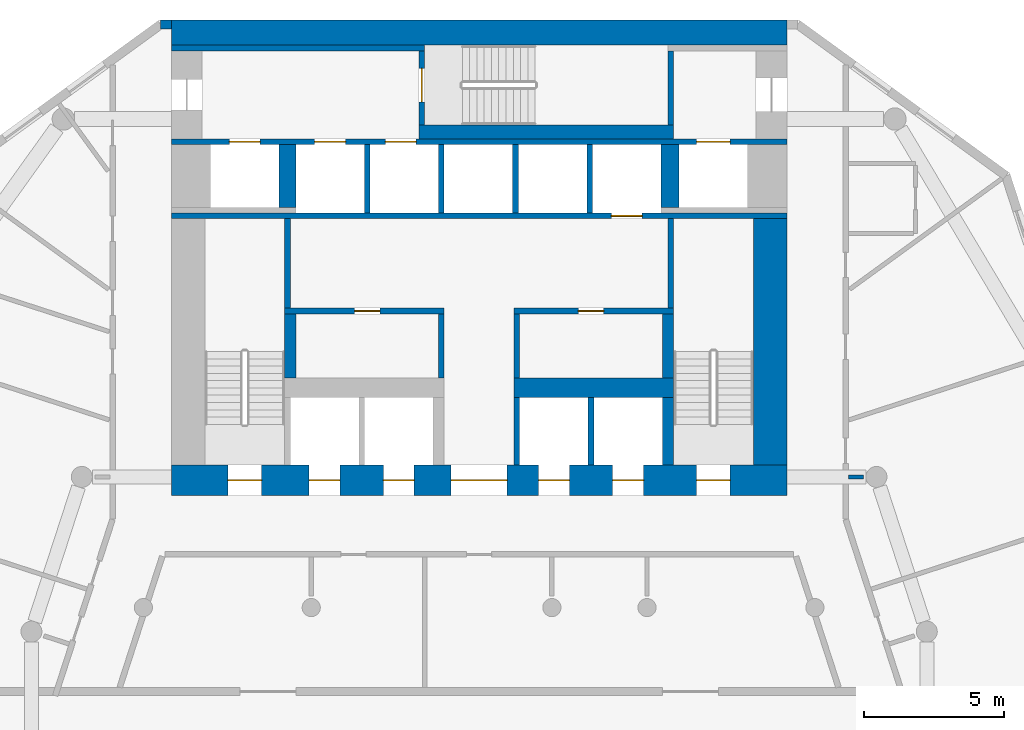
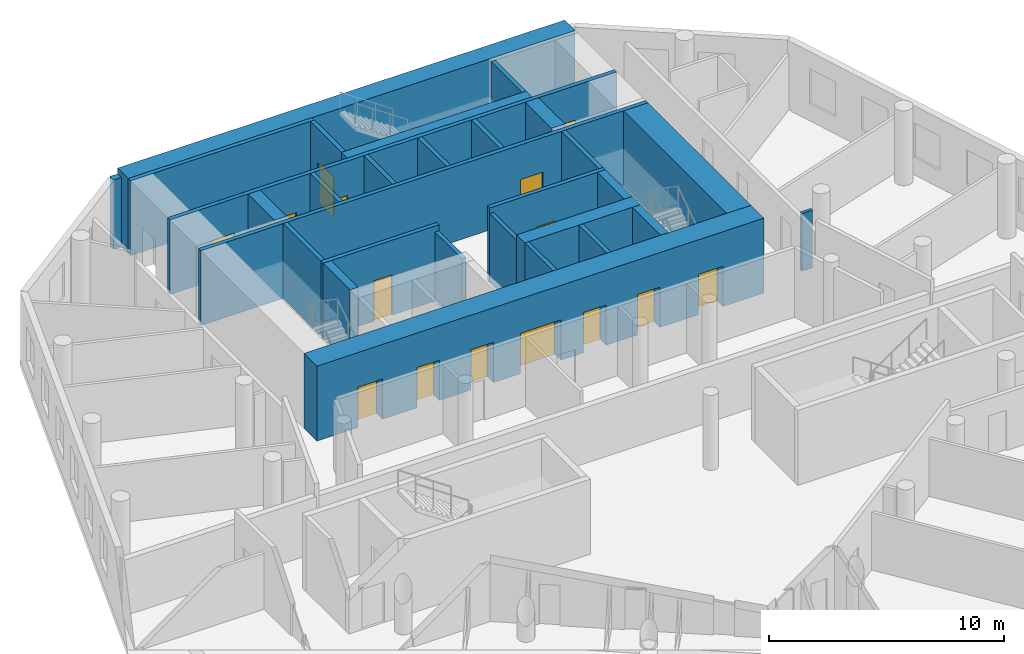
# One storey, part 5 of 9: 29 walls, 15 doors, 15 openings.
"""IFC4 building model written with IfcOpenShell, lengths in metres."""

from ifc_helpers import new_model, si_unit, direction, frame, frame_2d, origin, place, context, subcontext, project, spatial, rectangle, extrude, material, layer, layer_set, type_object, element, fill, save


model = new_model("IFC4")

# Units and contexts
model_context = context("Model", 3, precision=1e-05, world=origin(), true_north=direction((0.0, 1.0)))
body_context = subcontext(model_context, "Body", "Model", "MODEL_VIEW")
ifc_project = project(units=[si_unit("LENGTHUNIT", "METRE"), si_unit("AREAUNIT", "SQUARE_METRE"), si_unit("VOLUMEUNIT", "CUBIC_METRE"), si_unit("PLANEANGLEUNIT", "RADIAN"), si_unit("MASSUNIT", "GRAM", prefix="KILO")], contexts=[model_context])

# Site, building, storey
site_placement = place(None, origin())
site = spatial("IfcSite", under=ifc_project, at=site_placement, CompositionType="ELEMENT")
building_placement = place(site_placement, origin())
building = spatial("IfcBuilding", under=site, at=building_placement, Name="White Candle Pilgrim Tower", CompositionType="ELEMENT")
storey_placement = place(building_placement, frame((0.0, 0.0, 106.39990234375)))
storey = spatial("IfcBuildingStorey", under=building, at=storey_placement, Name="L23", CompositionType="ELEMENT", Elevation=106.39990234375)

# Wall, openings, doors
ifc_material_1 = material(Name="Concrete C60/75", Category="concrete")
ifc_layer_1 = layer(ifc_material_1, 0.199951171875)
ifc_layer_set_1 = layer_set([ifc_layer_1], Name="Core wall 200 mm Concrete C60/75")
wall_type_1 = type_object("IfcWallType", Name="Core wall 200 mm Concrete C60/75", PredefinedType="SHEAR", material=ifc_layer_set_1)
wall_1_placement = place(storey_placement, frame((59.0, 83.64990234375, 0.0), z_axis=(0.0, 0.0, 1.0), x_axis=(1.0, 0.0, 0.0)))
wall_1 = element("IfcWall", 1, at=wall_1_placement, inside=storey, type_object=wall_type_1, Name="WL-L23-C41", PredefinedType="SHEAR", context=body_context, shape_type="SweptSolid", body=[
    extrude(rectangle(XDim=22.0, YDim=0.199951171875, at=frame_2d((11.0, 0.0))), origin(), (0.0, 0.0, 1.0), 3.900146484375),
])
opening_1_placement = place(wall_1_placement, frame((5.125, 0.0, 0.0)))
opening_1 = element("IfcOpeningElement", 2, at=opening_1_placement, cuts=wall_1, Name="Opening T07-011", PredefinedType="OPENING", context=body_context, shape_type="SweptSolid", body=[
    extrude(rectangle(XDim=1.10009765625, YDim=2.10009765625, at=frame_2d((0.550048828125, 1.050048828125))), frame((0.0, 0.10986328125, 0.0), z_axis=(0.0, -1.0, 0.0), x_axis=(1.0, 0.0, 0.0)), (0.0, 0.0, 1.0), 0.219970703125),
])
opening_2_placement = place(wall_1_placement, frame((7.64990234375, 0.0, 0.0)))
opening_2 = element("IfcOpeningElement", 3, at=opening_2_placement, cuts=wall_1, Name="Opening T07-012", PredefinedType="OPENING", context=body_context, shape_type="SweptSolid", body=[
    extrude(rectangle(XDim=1.10009765625, YDim=2.10009765625, at=frame_2d((0.550048828125, 1.050048828125))), frame((0.0, 0.10986328125, 0.0), z_axis=(0.0, -1.0, 0.0), x_axis=(1.0, 0.0, 0.0)), (0.0, 0.0, 1.0), 0.219970703125),
])
opening_3_placement = place(wall_1_placement, frame((18.77490234375, 0.0, 0.0)))
opening_3 = element("IfcOpeningElement", 4, at=opening_3_placement, cuts=wall_1, Name="Opening T07-018", PredefinedType="OPENING", context=body_context, shape_type="SweptSolid", body=[
    extrude(rectangle(XDim=1.199951171875, YDim=2.10009765625, at=frame_2d((0.60009765625, 1.050048828125))), frame((0.0, 0.10986328125, 0.0), z_axis=(0.0, -1.0, 0.0), x_axis=(1.0, 0.0, 0.0)), (0.0, 0.0, 1.0), 0.219970703125),
])
opening_4_placement = place(wall_1_placement, frame((2.074951171875, 0.0, 0.0)))
opening_4 = element("IfcOpeningElement", 5, at=opening_4_placement, cuts=wall_1, Name="Opening T07-019", PredefinedType="OPENING", context=body_context, shape_type="SweptSolid", body=[
    extrude(rectangle(XDim=1.10009765625, YDim=2.10009765625, at=frame_2d((0.550048828125, 1.050048828125))), frame((0.0, 0.10986328125, 0.0), z_axis=(0.0, -1.0, 0.0), x_axis=(1.0, 0.0, 0.0)), (0.0, 0.0, 1.0), 0.219970703125),
])
ifc_material_2 = material(Name="Stainless steel", Category="steel")
door_type_1 = type_object("IfcDoorType", Name="Lift landing door 1100 x 2100 EI 60", OperationType="DOUBLE_DOOR_SLIDING", PredefinedType="DOOR", material=ifc_material_2)
door_1_placement = place(opening_1_placement, origin())
door_1 = element("IfcDoor", 6, at=door_1_placement, inside=storey, type_object=door_type_1, Name="Door T07-011", OperationType="DOUBLE_DOOR_SLIDING", OverallHeight=2.10009765625, OverallWidth=1.10009765625, PredefinedType="DOOR", context=body_context, shape_type="SweptSolid", body=[
    extrude(rectangle(XDim=1.10009765625, YDim=2.10009765625, at=frame_2d((0.550048828125, 1.050048828125))), frame((0.0, 0.02490234375, 0.0), z_axis=(0.0, -1.0, 0.0), x_axis=(1.0, 0.0, 0.0)), (0.0, 0.0, 1.0), 0.050048828125),
])
fill(opening_1, door_1)
door_2_placement = place(opening_2_placement, origin())
door_2 = element("IfcDoor", 7, at=door_2_placement, inside=storey, type_object=door_type_1, Name="Door T07-012", OperationType="DOUBLE_DOOR_SLIDING", OverallHeight=2.10009765625, OverallWidth=1.10009765625, PredefinedType="DOOR", context=body_context, shape_type="SweptSolid", body=[
    extrude(rectangle(XDim=1.10009765625, YDim=2.10009765625, at=frame_2d((0.550048828125, 1.050048828125))), frame((0.0, 0.02490234375, 0.0), z_axis=(0.0, -1.0, 0.0), x_axis=(1.0, 0.0, 0.0)), (0.0, 0.0, 1.0), 0.050048828125),
])
fill(opening_2, door_2)
door_3_placement = place(opening_4_placement, origin())
door_3 = element("IfcDoor", 8, at=door_3_placement, inside=storey, type_object=door_type_1, Name="Door T07-019", OperationType="DOUBLE_DOOR_SLIDING", OverallHeight=2.10009765625, OverallWidth=1.10009765625, PredefinedType="DOOR", context=body_context, shape_type="SweptSolid", body=[
    extrude(rectangle(XDim=1.10009765625, YDim=2.10009765625, at=frame_2d((0.550048828125, 1.050048828125))), frame((0.0, 0.02490234375, 0.0), z_axis=(0.0, -1.0, 0.0), x_axis=(1.0, 0.0, 0.0)), (0.0, 0.0, 1.0), 0.050048828125),
])
fill(opening_4, door_3)
door_type_2 = type_object("IfcDoorType", Name="Lift landing door 1200 x 2100 E 60", OperationType="DOUBLE_DOOR_SLIDING", PredefinedType="DOOR", material=ifc_material_2)
door_4_placement = place(opening_3_placement, origin())
door_4 = element("IfcDoor", 9, at=door_4_placement, inside=storey, type_object=door_type_2, Name="Door T07-018", OperationType="DOUBLE_DOOR_SLIDING", OverallHeight=2.10009765625, OverallWidth=1.199951171875, PredefinedType="DOOR", context=body_context, shape_type="SweptSolid", body=[
    extrude(rectangle(XDim=1.199951171875, YDim=2.10009765625, at=frame_2d((0.60009765625, 1.050048828125))), frame((0.0, 0.02490234375, 0.0), z_axis=(0.0, -1.0, 0.0), x_axis=(1.0, 0.0, 0.0)), (0.0, 0.0, 1.0), 0.050048828125),
])
fill(opening_3, door_4)

# Walls
ifc_material_3 = material(Name="Precast concrete C40/50", Category="concrete")
ifc_layer_2 = layer(ifc_material_3, 0.320068359375)
ifc_layer_set_2 = layer_set([ifc_layer_2], Name="Facade wall EW1 precast concrete C40/50 pier wall with timber-lined reveals")
wall_type_2 = type_object("IfcWallType", Name="Facade wall EW1 precast concrete C40/50 pier wall with timber-lined reveals", PredefinedType="SOLIDWALL", material=ifc_layer_set_2)
wall_2_placement = place(storey_placement, frame((59.0, 87.840087890625, 0.0), z_axis=(0.0, 0.0, 1.0), x_axis=(-1.0, 0.0, 0.0)))
element("IfcWall", 10, at=wall_2_placement, inside=storey, type_object=wall_type_2, Name="Facade wall L23 N", PredefinedType="SOLIDWALL", context=body_context, shape_type="SweptSolid", body=[
    extrude(rectangle(XDim=0.385009765625, YDim=0.320068359375, at=frame_2d((0.1923828125, 0.0))), origin(), (0.0, 0.0, 1.0), 3.60009765625),
])
ifc_material_4 = material(Name="Gypsum board on steel studs", Category="steel")
ifc_layer_3 = layer(ifc_material_4, 0.199951171875)
ifc_layer_set_3 = layer_set([ifc_layer_3], Name="Lobby wall 200 mm EI 60")
wall_type_3 = type_object("IfcWallType", Name="Lobby wall 200 mm EI 60", PredefinedType="PARTITIONING", material=ifc_layer_set_3)
for number, where, z_axis, x_axis, name in (
    (11, (68.64990234375, 75.199951171875, 0.0), (0.0, 0.0, 1.0), (0.0, 1.0, 0.0), "WL-L23-C23"),
    (12, (71.35009765625, 75.199951171875, 0.0), (0.0, 0.0, 1.0), (0.0, 1.0, 0.0), "WL-L23-C24"),
):
    element("IfcWall", number, at=place(storey_placement, frame(where, z_axis=z_axis, x_axis=x_axis)), inside=storey, type_object=wall_type_3, Name=name, PredefinedType="PARTITIONING", context=body_context, shape_type="SweptSolid", body=[
        extrude(rectangle(XDim=2.300048828125, YDim=0.199951171875, at=frame_2d((1.14990234375, 0.0))), origin(), (0.0, 0.0, 1.0), 3.60009765625),
    ])
ifc_layer_4 = layer(ifc_material_4, 0.14990234375)
ifc_layer_set_4 = layer_set([ifc_layer_4], Name="Partition 150 mm EI 60")
wall_type_4 = type_object("IfcWallType", Name="Partition 150 mm EI 60", PredefinedType="PARTITIONING", material=ifc_layer_set_4)
wall_3_placement = place(storey_placement, frame((83.735107421875, 71.667724609375, 0.0), z_axis=(0.0, 0.0, 1.0), x_axis=(-1.0, 0.0, 0.0)))
element("IfcWall", 13, at=wall_3_placement, inside=storey, type_object=wall_type_4, Name="WL-L23-P050", PredefinedType="PARTITIONING", context=body_context, shape_type="SweptSolid", body=[
    extrude(rectangle(XDim=0.53515625, YDim=0.14990234375, at=frame_2d((0.267578125, 0.0))), origin(), (0.0, 0.0, 1.0), 3.0),
])
ifc_layer_5 = layer(ifc_material_1, 0.199951171875)
ifc_layer_set_5 = layer_set([ifc_layer_5], Name="Shaft wall 200 mm Concrete C60/75")
wall_type_5 = type_object("IfcWallType", Name="Shaft wall 200 mm Concrete C60/75", PredefinedType="SHEAR", material=ifc_layer_set_5)
for number, where, z_axis, x_axis, name in (
    (14, (71.35009765625, 72.10009765625, 0.0), (0.0, 0.0, 1.0), (0.0, 1.0, 0.0), "WL-L23-C16"),
    (15, (74.0, 72.10009765625, 0.0), (0.0, 0.0, 1.0), (0.0, 1.0, 0.0), "WL-L23-C17"),
):
    element("IfcWall", number, at=place(storey_placement, frame(where, z_axis=z_axis, x_axis=x_axis)), inside=storey, type_object=wall_type_5, Name=name, PredefinedType="SHEAR", context=body_context, shape_type="SweptSolid", body=[
        extrude(rectangle(XDim=2.39990234375, YDim=0.199951171875, at=frame_2d((1.199951171875, 0.0))), origin(), (0.0, 0.0, 1.0), 3.900146484375),
    ])
for number, where, z_axis, x_axis, name in (
    (16, (66.0, 81.10009765625, 0.0), (0.0, 0.0, 1.0), (0.0, 1.0, 0.0), "WL-L23-C32"),
    (17, (68.64990234375, 81.10009765625, 0.0), (0.0, 0.0, 1.0), (0.0, 1.0, 0.0), "WL-L23-C33"),
    (18, (71.300048828125, 81.10009765625, 0.0), (0.0, 0.0, 1.0), (0.0, 1.0, 0.0), "WL-L23-C34"),
    (19, (73.949951171875, 81.10009765625, 0.0), (0.0, 0.0, 1.0), (0.0, 1.0, 0.0), "WL-L23-C35"),
):
    element("IfcWall", number, at=place(storey_placement, frame(where, z_axis=z_axis, x_axis=x_axis)), inside=storey, type_object=wall_type_5, Name=name, PredefinedType="SHEAR", context=body_context, shape_type="SweptSolid", body=[
        extrude(rectangle(XDim=2.449951171875, YDim=0.199951171875, at=frame_2d((1.22509765625, 0.0))), origin(), (0.0, 0.0, 1.0), 3.900146484375),
    ])
ifc_layer_6 = layer(ifc_material_1, 0.60009765625)
ifc_layer_set_6 = layer_set([ifc_layer_6], Name="Shaft wall 600 mm Concrete C60/75")
wall_type_6 = type_object("IfcWallType", Name="Shaft wall 600 mm Concrete C60/75", PredefinedType="SHEAR", material=ifc_layer_set_6)
wall_4_placement = place(storey_placement, frame((63.14990234375, 81.300048828125, 0.0), z_axis=(0.0, 0.0, 1.0), x_axis=(0.0, 1.0, 0.0)))
element("IfcWall", 20, at=wall_4_placement, inside=storey, type_object=wall_type_6, Name="WL-L23-C38", PredefinedType="SHEAR", context=body_context, shape_type="SweptSolid", body=[
    extrude(rectangle(XDim=2.25, YDim=0.60009765625, at=frame_2d((1.125, 0.0))), origin(), (0.0, 0.0, 1.0), 3.900146484375),
])
ifc_layer_7 = layer(ifc_material_1, 0.64990234375)
ifc_layer_set_7 = layer_set([ifc_layer_7], Name="Shaft wall 650 mm Concrete C60/75")
wall_type_7 = type_object("IfcWallType", Name="Shaft wall 650 mm Concrete C60/75", PredefinedType="SHEAR", material=ifc_layer_set_7)
wall_5_placement = place(storey_placement, frame((76.824951171875, 81.300048828125, 0.0), z_axis=(0.0, 0.0, 1.0), x_axis=(0.0, 1.0, 0.0)))
element("IfcWall", 21, at=wall_5_placement, inside=storey, type_object=wall_type_7, Name="WL-L23-C39", PredefinedType="SHEAR", context=body_context, shape_type="SweptSolid", body=[
    extrude(rectangle(XDim=2.25, YDim=0.64990234375, at=frame_2d((1.125, 0.0))), origin(), (0.0, 0.0, 1.0), 3.900146484375),
])

# Wall, openings, doors
ifc_layer_8 = layer(ifc_material_1, 1.10009765625)
ifc_layer_set_8 = layer_set([ifc_layer_8], Name="Stair shaft wall 1100 mm Concrete C60/75")
wall_type_8 = type_object("IfcWallType", Name="Stair shaft wall 1100 mm Concrete C60/75", PredefinedType="SHEAR", material=ifc_layer_set_8)
wall_6_placement = place(storey_placement, frame((59.0, 71.550048828125, 0.0), z_axis=(0.0, 0.0, 1.0), x_axis=(1.0, 0.0, 0.0)))
wall_6 = element("IfcWall", 22, at=wall_6_placement, inside=storey, type_object=wall_type_8, Name="WL-L23-C11", PredefinedType="SHEAR", context=body_context, shape_type="SweptSolid", body=[
    extrude(rectangle(XDim=22.0, YDim=1.10009765625, at=frame_2d((11.0, 0.0))), origin(), (0.0, 0.0, 1.0), 3.900146484375),
])
opening_5_placement = place(wall_6_placement, frame((2.02490234375, 0.0, 0.0)))
opening_5 = element("IfcOpeningElement", 23, at=opening_5_placement, cuts=wall_6, Name="Opening T07-001", PredefinedType="OPENING", context=body_context, shape_type="SweptSolid", body=[
    extrude(rectangle(XDim=1.199951171875, YDim=2.10009765625, at=frame_2d((0.60009765625, 1.050048828125))), frame((0.0, 0.56005859375, 0.0), z_axis=(0.0, -1.0, 0.0), x_axis=(1.0, 0.0, 0.0)), (0.0, 0.0, 1.0), 1.1201171875),
])
opening_6_placement = place(wall_6_placement, frame((18.77490234375, 0.0, 0.0)))
opening_6 = element("IfcOpeningElement", 24, at=opening_6_placement, cuts=wall_6, Name="Opening T07-002", PredefinedType="OPENING", context=body_context, shape_type="SweptSolid", body=[
    extrude(rectangle(XDim=1.199951171875, YDim=2.10009765625, at=frame_2d((0.60009765625, 1.050048828125))), frame((0.0, 0.56005859375, 0.0), z_axis=(0.0, -1.0, 0.0), x_axis=(1.0, 0.0, 0.0)), (0.0, 0.0, 1.0), 1.1201171875),
])
opening_7_placement = place(wall_6_placement, frame((10.0, 0.0, 0.0)))
opening_7 = element("IfcOpeningElement", 25, at=opening_7_placement, cuts=wall_6, Name="Opening T07-004", PredefinedType="OPENING", context=body_context, shape_type="SweptSolid", body=[
    extrude(rectangle(XDim=2.0, YDim=2.10009765625, at=frame_2d((1.0, 1.050048828125))), frame((0.0, 0.56005859375, 0.0), z_axis=(0.0, -1.0, 0.0), x_axis=(1.0, 0.0, 0.0)), (0.0, 0.0, 1.0), 1.1201171875),
])
opening_8_placement = place(wall_6_placement, frame((4.925048828125, 0.0, 0.0)))
opening_8 = element("IfcOpeningElement", 26, at=opening_8_placement, cuts=wall_6, Name="Opening T07-014", PredefinedType="OPENING", context=body_context, shape_type="SweptSolid", body=[
    extrude(rectangle(XDim=1.10009765625, YDim=2.10009765625, at=frame_2d((0.550048828125, 1.050048828125))), frame((0.0, 0.56005859375, 0.0), z_axis=(0.0, -1.0, 0.0), x_axis=(1.0, 0.0, 0.0)), (0.0, 0.0, 1.0), 1.1201171875),
])
opening_9_placement = place(wall_6_placement, frame((7.574951171875, 0.0, 0.0)))
opening_9 = element("IfcOpeningElement", 27, at=opening_9_placement, cuts=wall_6, Name="Opening T07-015", PredefinedType="OPENING", context=body_context, shape_type="SweptSolid", body=[
    extrude(rectangle(XDim=1.10009765625, YDim=2.10009765625, at=frame_2d((0.550048828125, 1.050048828125))), frame((0.0, 0.56005859375, 0.0), z_axis=(0.0, -1.0, 0.0), x_axis=(1.0, 0.0, 0.0)), (0.0, 0.0, 1.0), 1.1201171875),
])
opening_10_placement = place(wall_6_placement, frame((13.125, 0.0, 0.0)))
opening_10 = element("IfcOpeningElement", 28, at=opening_10_placement, cuts=wall_6, Name="Opening T07-016", PredefinedType="OPENING", context=body_context, shape_type="SweptSolid", body=[
    extrude(rectangle(XDim=1.10009765625, YDim=2.10009765625, at=frame_2d((0.550048828125, 1.050048828125))), frame((0.0, 0.56005859375, 0.0), z_axis=(0.0, -1.0, 0.0), x_axis=(1.0, 0.0, 0.0)), (0.0, 0.0, 1.0), 1.1201171875),
])
opening_11_placement = place(wall_6_placement, frame((15.77490234375, 0.0, 0.0)))
opening_11 = element("IfcOpeningElement", 29, at=opening_11_placement, cuts=wall_6, Name="Opening T07-017", PredefinedType="OPENING", context=body_context, shape_type="SweptSolid", body=[
    extrude(rectangle(XDim=1.10009765625, YDim=2.10009765625, at=frame_2d((0.550048828125, 1.050048828125))), frame((0.0, 0.56005859375, 0.0), z_axis=(0.0, -1.0, 0.0), x_axis=(1.0, 0.0, 0.0)), (0.0, 0.0, 1.0), 1.1201171875),
])
ifc_material_5 = material(Name="Steel door leaf", Category="steel")
door_type_3 = type_object("IfcDoorType", Name="Fire door 1200 x 2100 EI 60", OperationType="NOTDEFINED", PredefinedType="DOOR", material=ifc_material_5)
door_5_placement = place(opening_5_placement, frame((1.199951171875, 0.0, 0.0), z_axis=(0.0, 0.0, 1.0), x_axis=(-1.0, 0.0, 0.0)))
door_5 = element("IfcDoor", 30, at=door_5_placement, inside=storey, type_object=door_type_3, Name="Door T07-001", OperationType="SINGLE_SWING_RIGHT", OverallHeight=2.10009765625, OverallWidth=1.199951171875, PredefinedType="DOOR", context=body_context, shape_type="SweptSolid", body=[
    extrude(rectangle(XDim=1.199951171875, YDim=2.10009765625, at=frame_2d((0.60009765625, 1.050048828125))), frame((0.0, 0.02490234375, 0.0), z_axis=(0.0, -1.0, 0.0), x_axis=(1.0, 0.0, 0.0)), (0.0, 0.0, 1.0), 0.050048828125),
])
fill(opening_5, door_5)
door_6_placement = place(opening_6_placement, frame((1.199951171875, 0.0, 0.0), z_axis=(0.0, 0.0, 1.0), x_axis=(-1.0, 0.0, 0.0)))
door_6 = element("IfcDoor", 31, at=door_6_placement, inside=storey, type_object=door_type_3, Name="Door T07-002", OperationType="SINGLE_SWING_LEFT", OverallHeight=2.10009765625, OverallWidth=1.199951171875, PredefinedType="DOOR", context=body_context, shape_type="SweptSolid", body=[
    extrude(rectangle(XDim=1.199951171875, YDim=2.10009765625, at=frame_2d((0.60009765625, 1.050048828125))), frame((0.0, 0.02490234375, 0.0), z_axis=(0.0, -1.0, 0.0), x_axis=(1.0, 0.0, 0.0)), (0.0, 0.0, 1.0), 0.050048828125),
])
fill(opening_6, door_6)
door_type_4 = type_object("IfcDoorType", Name="Fire door 2000 x 2100 EI 60", OperationType="NOTDEFINED", PredefinedType="DOOR", material=ifc_material_5)
door_7_placement = place(opening_7_placement, frame((2.0, 0.0, 0.0), z_axis=(0.0, 0.0, 1.0), x_axis=(-1.0, 0.0, 0.0)))
door_7 = element("IfcDoor", 32, at=door_7_placement, inside=storey, type_object=door_type_4, Name="Door T07-004", OperationType="DOUBLE_DOOR_SINGLE_SWING", OverallHeight=2.10009765625, OverallWidth=2.0, PredefinedType="DOOR", context=body_context, shape_type="SweptSolid", body=[
    extrude(rectangle(XDim=2.0, YDim=2.10009765625, at=frame_2d((1.0, 1.050048828125))), frame((0.0, 0.02490234375, 0.0), z_axis=(0.0, -1.0, 0.0), x_axis=(1.0, 0.0, 0.0)), (0.0, 0.0, 1.0), 0.050048828125),
])
fill(opening_7, door_7)
door_type_5 = type_object("IfcDoorType", Name="Lift landing door 1100 x 2100 E 60", OperationType="DOUBLE_DOOR_SLIDING", PredefinedType="DOOR", material=ifc_material_2)
door_8_placement = place(opening_8_placement, origin())
door_8 = element("IfcDoor", 33, at=door_8_placement, inside=storey, type_object=door_type_5, Name="Door T07-014", OperationType="DOUBLE_DOOR_SLIDING", OverallHeight=2.10009765625, OverallWidth=1.10009765625, PredefinedType="DOOR", context=body_context, shape_type="SweptSolid", body=[
    extrude(rectangle(XDim=1.10009765625, YDim=2.10009765625, at=frame_2d((0.550048828125, 1.050048828125))), frame((0.0, 0.02490234375, 0.0), z_axis=(0.0, -1.0, 0.0), x_axis=(1.0, 0.0, 0.0)), (0.0, 0.0, 1.0), 0.050048828125),
])
fill(opening_8, door_8)
door_9_placement = place(opening_9_placement, origin())
door_9 = element("IfcDoor", 34, at=door_9_placement, inside=storey, type_object=door_type_5, Name="Door T07-015", OperationType="DOUBLE_DOOR_SLIDING", OverallHeight=2.10009765625, OverallWidth=1.10009765625, PredefinedType="DOOR", context=body_context, shape_type="SweptSolid", body=[
    extrude(rectangle(XDim=1.10009765625, YDim=2.10009765625, at=frame_2d((0.550048828125, 1.050048828125))), frame((0.0, 0.02490234375, 0.0), z_axis=(0.0, -1.0, 0.0), x_axis=(1.0, 0.0, 0.0)), (0.0, 0.0, 1.0), 0.050048828125),
])
fill(opening_9, door_9)
door_10_placement = place(opening_10_placement, origin())
door_10 = element("IfcDoor", 35, at=door_10_placement, inside=storey, type_object=door_type_5, Name="Door T07-016", OperationType="DOUBLE_DOOR_SLIDING", OverallHeight=2.10009765625, OverallWidth=1.10009765625, PredefinedType="DOOR", context=body_context, shape_type="SweptSolid", body=[
    extrude(rectangle(XDim=1.10009765625, YDim=2.10009765625, at=frame_2d((0.550048828125, 1.050048828125))), frame((0.0, 0.02490234375, 0.0), z_axis=(0.0, -1.0, 0.0), x_axis=(1.0, 0.0, 0.0)), (0.0, 0.0, 1.0), 0.050048828125),
])
fill(opening_10, door_10)
door_11_placement = place(opening_11_placement, origin())
door_11 = element("IfcDoor", 36, at=door_11_placement, inside=storey, type_object=door_type_5, Name="Door T07-017", OperationType="DOUBLE_DOOR_SLIDING", OverallHeight=2.10009765625, OverallWidth=1.10009765625, PredefinedType="DOOR", context=body_context, shape_type="SweptSolid", body=[
    extrude(rectangle(XDim=1.10009765625, YDim=2.10009765625, at=frame_2d((0.550048828125, 1.050048828125))), frame((0.0, 0.02490234375, 0.0), z_axis=(0.0, -1.0, 0.0), x_axis=(1.0, 0.0, 0.0)), (0.0, 0.0, 1.0), 0.050048828125),
])
fill(opening_11, door_11)

# Wall
ifc_layer_9 = layer(ifc_material_1, 1.199951171875)
ifc_layer_set_9 = layer_set([ifc_layer_9], Name="Stair shaft wall 1200 mm Concrete C60/75")
wall_type_9 = type_object("IfcWallType", Name="Stair shaft wall 1200 mm Concrete C60/75", PredefinedType="SHEAR", material=ifc_layer_set_9)
wall_7_placement = place(storey_placement, frame((80.39990234375, 72.10009765625, 0.0), z_axis=(0.0, 0.0, 1.0), x_axis=(0.0, 1.0, 0.0)))
element("IfcWall", 37, at=wall_7_placement, inside=storey, type_object=wall_type_9, Name="WL-L23-C19", PredefinedType="SHEAR", context=body_context, shape_type="SweptSolid", body=[
    extrude(rectangle(XDim=8.7998046875, YDim=1.199951171875, at=frame_2d((4.39990234375, 0.0))), origin(), (0.0, 0.0, 1.0), 3.900146484375),
])

# Wall, opening, door
ifc_layer_10 = layer(ifc_material_1, 0.199951171875)
ifc_layer_set_10 = layer_set([ifc_layer_10], Name="Stair shaft wall 200 mm Concrete C60/75")
wall_type_10 = type_object("IfcWallType", Name="Stair shaft wall 200 mm Concrete C60/75", PredefinedType="SHEAR", material=ifc_layer_set_10)
wall_8_placement = place(storey_placement, frame((63.050048828125, 77.60009765625, 0.0), z_axis=(0.0, 0.0, 1.0), x_axis=(1.0, 0.0, 0.0)))
wall_8 = element("IfcWall", 38, at=wall_8_placement, inside=storey, type_object=wall_type_10, Name="WL-L23-C26", PredefinedType="SHEAR", context=body_context, shape_type="SweptSolid", body=[
    extrude(rectangle(XDim=5.699951171875, YDim=0.199951171875, at=frame_2d((2.85009765625, 0.0))), origin(), (0.0, 0.0, 1.0), 3.900146484375),
])
opening_12_placement = place(wall_8_placement, frame((2.5, 0.0, 0.0)))
opening_12 = element("IfcOpeningElement", 39, at=opening_12_placement, cuts=wall_8, Name="Opening T07-020", PredefinedType="OPENING", context=body_context, shape_type="SweptSolid", body=[
    extrude(rectangle(XDim=0.89990234375, YDim=2.10009765625, at=frame_2d((0.449951171875, 1.050048828125))), frame((0.0, 0.10986328125, 0.0), z_axis=(0.0, -1.0, 0.0), x_axis=(1.0, 0.0, 0.0)), (0.0, 0.0, 1.0), 0.219970703125),
])
door_type_6 = type_object("IfcDoorType", Name="Fire door 900 x 2100 EI 30", OperationType="NOTDEFINED", PredefinedType="DOOR", material=ifc_material_5)
door_12_placement = place(opening_12_placement, origin())
door_12 = element("IfcDoor", 40, at=door_12_placement, inside=storey, type_object=door_type_6, Name="Door T07-020", OperationType="SINGLE_SWING_RIGHT", OverallHeight=2.10009765625, OverallWidth=0.89990234375, PredefinedType="DOOR", context=body_context, shape_type="SweptSolid", body=[
    extrude(rectangle(XDim=0.89990234375, YDim=2.10009765625, at=frame_2d((0.449951171875, 1.050048828125))), frame((0.0, 0.02490234375, 0.0), z_axis=(0.0, -1.0, 0.0), x_axis=(1.0, 0.0, 0.0)), (0.0, 0.0, 1.0), 0.050048828125),
])
fill(opening_12, door_12)

wall_9_placement = place(storey_placement, frame((71.25, 77.60009765625, 0.0), z_axis=(0.0, 0.0, 1.0), x_axis=(1.0, 0.0, 0.0)))
wall_9 = element("IfcWall", 41, at=wall_9_placement, inside=storey, type_object=wall_type_10, Name="WL-L23-C27", PredefinedType="SHEAR", context=body_context, shape_type="SweptSolid", body=[
    extrude(rectangle(XDim=5.699951171875, YDim=0.199951171875, at=frame_2d((2.85009765625, 0.0))), origin(), (0.0, 0.0, 1.0), 3.900146484375),
])
opening_13_placement = place(wall_9_placement, frame((2.300048828125, 0.0, 0.0)))
opening_13 = element("IfcOpeningElement", 42, at=opening_13_placement, cuts=wall_9, Name="Opening T07-021", PredefinedType="OPENING", context=body_context, shape_type="SweptSolid", body=[
    extrude(rectangle(XDim=0.89990234375, YDim=2.10009765625, at=frame_2d((0.449951171875, 1.050048828125))), frame((0.0, 0.10986328125, 0.0), z_axis=(0.0, -1.0, 0.0), x_axis=(1.0, 0.0, 0.0)), (0.0, 0.0, 1.0), 0.219970703125),
])
door_13_placement = place(opening_13_placement, origin())
door_13 = element("IfcDoor", 43, at=door_13_placement, inside=storey, type_object=door_type_6, Name="Door T07-021", OperationType="SINGLE_SWING_LEFT", OverallHeight=2.10009765625, OverallWidth=0.89990234375, PredefinedType="DOOR", context=body_context, shape_type="SweptSolid", body=[
    extrude(rectangle(XDim=0.89990234375, YDim=2.10009765625, at=frame_2d((0.449951171875, 1.050048828125))), frame((0.0, 0.02490234375, 0.0), z_axis=(0.0, -1.0, 0.0), x_axis=(1.0, 0.0, 0.0)), (0.0, 0.0, 1.0), 0.050048828125),
])
fill(opening_13, door_13)

# Walls
for number, where, z_axis, x_axis, name in (
    (44, (63.14990234375, 77.699951171875, 0.0), (0.0, 0.0, 1.0), (0.0, 1.0, 0.0), "WL-L23-C28"),
    (45, (76.85009765625, 77.699951171875, 0.0), (0.0, 0.0, 1.0), (0.0, 1.0, 0.0), "WL-L23-C29"),
):
    element("IfcWall", number, at=place(storey_placement, frame(where, z_axis=z_axis, x_axis=x_axis)), inside=storey, type_object=wall_type_10, Name=name, PredefinedType="SHEAR", context=body_context, shape_type="SweptSolid", body=[
        extrude(rectangle(XDim=3.199951171875, YDim=0.199951171875, at=frame_2d((1.60009765625, 0.0))), origin(), (0.0, 0.0, 1.0), 3.900146484375),
    ])

# Wall, opening, door
wall_10_placement = place(storey_placement, frame((59.0, 81.0, 0.0), z_axis=(0.0, 0.0, 1.0), x_axis=(1.0, 0.0, 0.0)))
wall_10 = element("IfcWall", 46, at=wall_10_placement, inside=storey, type_object=wall_type_10, Name="WL-L23-C30", PredefinedType="SHEAR", context=body_context, shape_type="SweptSolid", body=[
    extrude(rectangle(XDim=22.0, YDim=0.199951171875, at=frame_2d((11.0, 0.0))), origin(), (0.0, 0.0, 1.0), 3.900146484375),
])
opening_14_placement = place(wall_10_placement, frame((15.72509765625, 0.0, 0.0)))
opening_14 = element("IfcOpeningElement", 47, at=opening_14_placement, cuts=wall_10, Name="Opening T07-013", PredefinedType="OPENING", context=body_context, shape_type="SweptSolid", body=[
    extrude(rectangle(XDim=1.10009765625, YDim=2.10009765625, at=frame_2d((0.550048828125, 1.050048828125))), frame((0.0, 0.10986328125, 0.0), z_axis=(0.0, -1.0, 0.0), x_axis=(1.0, 0.0, 0.0)), (0.0, 0.0, 1.0), 0.219970703125),
])
door_14_placement = place(opening_14_placement, origin())
door_14 = element("IfcDoor", 48, at=door_14_placement, inside=storey, type_object=door_type_5, Name="Door T07-013", OperationType="DOUBLE_DOOR_SLIDING", OverallHeight=2.10009765625, OverallWidth=1.10009765625, PredefinedType="DOOR", context=body_context, shape_type="SweptSolid", body=[
    extrude(rectangle(XDim=1.10009765625, YDim=2.10009765625, at=frame_2d((0.550048828125, 1.050048828125))), frame((0.0, 0.02490234375, 0.0), z_axis=(0.0, -1.0, 0.0), x_axis=(1.0, 0.0, 0.0)), (0.0, 0.0, 1.0), 0.050048828125),
])
fill(opening_14, door_14)

wall_11_placement = place(storey_placement, frame((67.949951171875, 84.25, 0.0), z_axis=(0.0, 0.0, 1.0), x_axis=(0.0, 1.0, 0.0)))
wall_11 = element("IfcWall", 49, at=wall_11_placement, inside=storey, type_object=wall_type_10, Name="WL-L23-C45", PredefinedType="SHEAR", context=body_context, shape_type="SweptSolid", body=[
    extrude(rectangle(XDim=2.64990234375, YDim=0.199951171875, at=frame_2d((1.324951171875, 0.0))), origin(), (0.0, 0.0, 1.0), 3.900146484375),
])
opening_15_placement = place(wall_11_placement, frame((0.824951171875, 0.0, 0.0)))
opening_15 = element("IfcOpeningElement", 50, at=opening_15_placement, cuts=wall_11, Name="Opening T07-003", PredefinedType="OPENING", context=body_context, shape_type="SweptSolid", body=[
    extrude(rectangle(XDim=1.199951171875, YDim=2.10009765625, at=frame_2d((0.60009765625, 1.050048828125))), frame((0.0, 0.10986328125, 0.0), z_axis=(0.0, -1.0, 0.0), x_axis=(1.0, 0.0, 0.0)), (0.0, 0.0, 1.0), 0.219970703125),
])
door_15_placement = place(opening_15_placement, frame((1.199951171875, 0.0, 0.0), z_axis=(0.0, 0.0, 1.0), x_axis=(-1.0, 0.0, 0.0)))
door_15 = element("IfcDoor", 51, at=door_15_placement, inside=storey, type_object=door_type_3, Name="Door T07-003", OperationType="SINGLE_SWING_RIGHT", OverallHeight=2.10009765625, OverallWidth=1.199951171875, PredefinedType="DOOR", context=body_context, shape_type="SweptSolid", body=[
    extrude(rectangle(XDim=1.199951171875, YDim=2.10009765625, at=frame_2d((0.60009765625, 1.050048828125))), frame((0.0, 0.02490234375, 0.0), z_axis=(0.0, -1.0, 0.0), x_axis=(1.0, 0.0, 0.0)), (0.0, 0.0, 1.0), 0.050048828125),
])
fill(opening_15, door_15)

# Walls
wall_12_placement = place(storey_placement, frame((76.85009765625, 84.25, 0.0), z_axis=(0.0, 0.0, 1.0), x_axis=(0.0, 1.0, 0.0)))
element("IfcWall", 52, at=wall_12_placement, inside=storey, type_object=wall_type_10, Name="WL-L23-C46", PredefinedType="SHEAR", context=body_context, shape_type="SweptSolid", body=[
    extrude(rectangle(XDim=2.64990234375, YDim=0.199951171875, at=frame_2d((1.324951171875, 0.0))), origin(), (0.0, 0.0, 1.0), 3.900146484375),
])
wall_13_placement = place(storey_placement, frame((59.0, 87.0, 0.0), z_axis=(0.0, 0.0, 1.0), x_axis=(1.0, 0.0, 0.0)))
element("IfcWall", 53, at=wall_13_placement, inside=storey, type_object=wall_type_10, Name="WL-L23-C47", PredefinedType="SHEAR", context=body_context, shape_type="SweptSolid", body=[
    extrude(rectangle(XDim=9.050048828125, YDim=0.199951171875, at=frame_2d((4.52490234375, 0.0))), origin(), (0.0, 0.0, 1.0), 3.900146484375),
])
ifc_layer_11 = layer(ifc_material_1, 0.39990234375)
ifc_layer_set_11 = layer_set([ifc_layer_11], Name="Stair shaft wall 400 mm Concrete C60/75")
wall_type_11 = type_object("IfcWallType", Name="Stair shaft wall 400 mm Concrete C60/75", PredefinedType="SHEAR", material=ifc_layer_set_11)
wall_14_placement = place(storey_placement, frame((76.75, 72.10009765625, 0.0), z_axis=(0.0, 0.0, 1.0), x_axis=(0.0, 1.0, 0.0)))
element("IfcWall", 54, at=wall_14_placement, inside=storey, type_object=wall_type_11, Name="WL-L23-C18", PredefinedType="SHEAR", context=body_context, shape_type="SweptSolid", body=[
    extrude(rectangle(XDim=2.39990234375, YDim=0.39990234375, at=frame_2d((1.199951171875, 0.0))), origin(), (0.0, 0.0, 1.0), 3.900146484375),
])
for number, where, z_axis, x_axis, name in (
    (55, (63.25, 75.199951171875, 0.0), (0.0, 0.0, 1.0), (0.0, 1.0, 0.0), "WL-L23-C22"),
    (56, (76.75, 75.199951171875, 0.0), (0.0, 0.0, 1.0), (0.0, 1.0, 0.0), "WL-L23-C25"),
):
    element("IfcWall", number, at=place(storey_placement, frame(where, z_axis=z_axis, x_axis=x_axis)), inside=storey, type_object=wall_type_11, Name=name, PredefinedType="SHEAR", context=body_context, shape_type="SweptSolid", body=[
        extrude(rectangle(XDim=2.300048828125, YDim=0.39990234375, at=frame_2d((1.14990234375, 0.0))), origin(), (0.0, 0.0, 1.0), 3.900146484375),
    ])
ifc_layer_12 = layer(ifc_material_1, 0.5)
ifc_layer_set_12 = layer_set([ifc_layer_12], Name="Stair shaft wall 500 mm Concrete C60/75")
wall_type_12 = type_object("IfcWallType", Name="Stair shaft wall 500 mm Concrete C60/75", PredefinedType="SHEAR", material=ifc_layer_set_12)
wall_15_placement = place(storey_placement, frame((67.85009765625, 84.0, 0.0), z_axis=(0.0, 0.0, 1.0), x_axis=(1.0, 0.0, 0.0)))
element("IfcWall", 57, at=wall_15_placement, inside=storey, type_object=wall_type_12, Name="WL-L23-C43", PredefinedType="SHEAR", context=body_context, shape_type="SweptSolid", body=[
    extrude(rectangle(XDim=9.099853515625, YDim=0.5, at=frame_2d((4.5498046875, 0.0))), origin(), (0.0, 0.0, 1.0), 3.900146484375),
])
ifc_layer_13 = layer(ifc_material_1, 0.699951171875)
ifc_layer_set_13 = layer_set([ifc_layer_13], Name="Stair shaft wall 700 mm Concrete C60/75")
wall_type_13 = type_object("IfcWallType", Name="Stair shaft wall 700 mm Concrete C60/75", PredefinedType="SHEAR", material=ifc_layer_set_13)
wall_16_placement = place(storey_placement, frame((71.25, 74.85009765625, 0.0), z_axis=(0.0, 0.0, 1.0), x_axis=(1.0, 0.0, 0.0)))
element("IfcWall", 58, at=wall_16_placement, inside=storey, type_object=wall_type_13, Name="WL-L23-C21", PredefinedType="SHEAR", context=body_context, shape_type="SweptSolid", body=[
    extrude(rectangle(XDim=5.699951171875, YDim=0.699951171875, at=frame_2d((2.85009765625, 0.0))), origin(), (0.0, 0.0, 1.0), 3.900146484375),
])
ifc_layer_14 = layer(ifc_material_1, 0.89990234375)
ifc_layer_set_14 = layer_set([ifc_layer_14], Name="Stair shaft wall 900 mm Concrete C60/75")
wall_type_14 = type_object("IfcWallType", Name="Stair shaft wall 900 mm Concrete C60/75", PredefinedType="SHEAR", material=ifc_layer_set_14)
wall_17_placement = place(storey_placement, frame((59.0, 87.550048828125, 0.0), z_axis=(0.0, 0.0, 1.0), x_axis=(1.0, 0.0, 0.0)))
element("IfcWall", 59, at=wall_17_placement, inside=storey, type_object=wall_type_14, Name="WL-L23-C49", PredefinedType="SHEAR", context=body_context, shape_type="SweptSolid", body=[
    extrude(rectangle(XDim=22.0, YDim=0.89990234375, at=frame_2d((11.0, 0.0))), origin(), (0.0, 0.0, 1.0), 3.900146484375),
])

save(model, "model.ifc")
